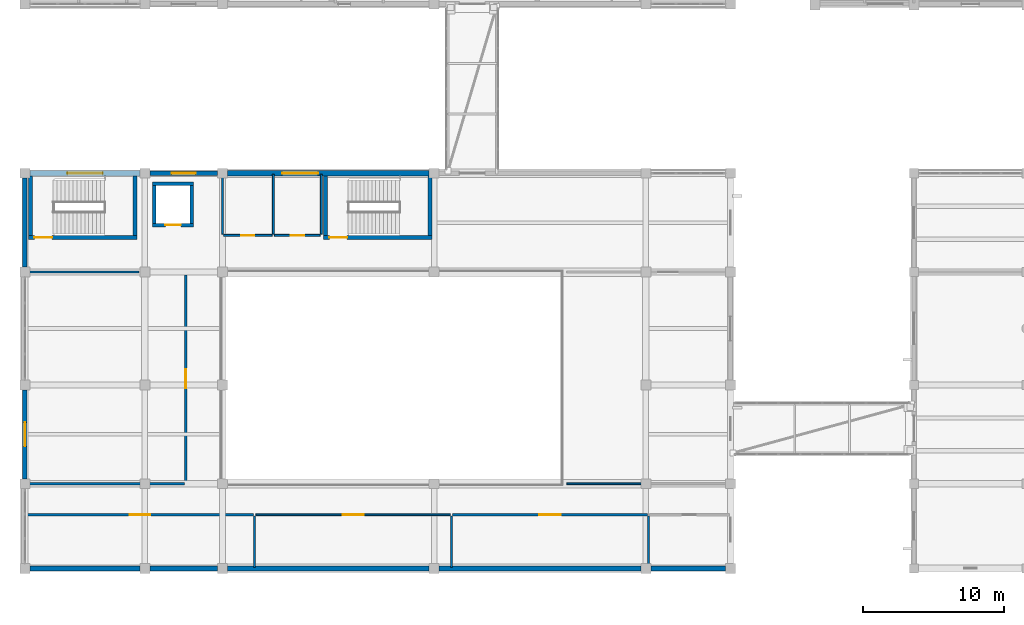
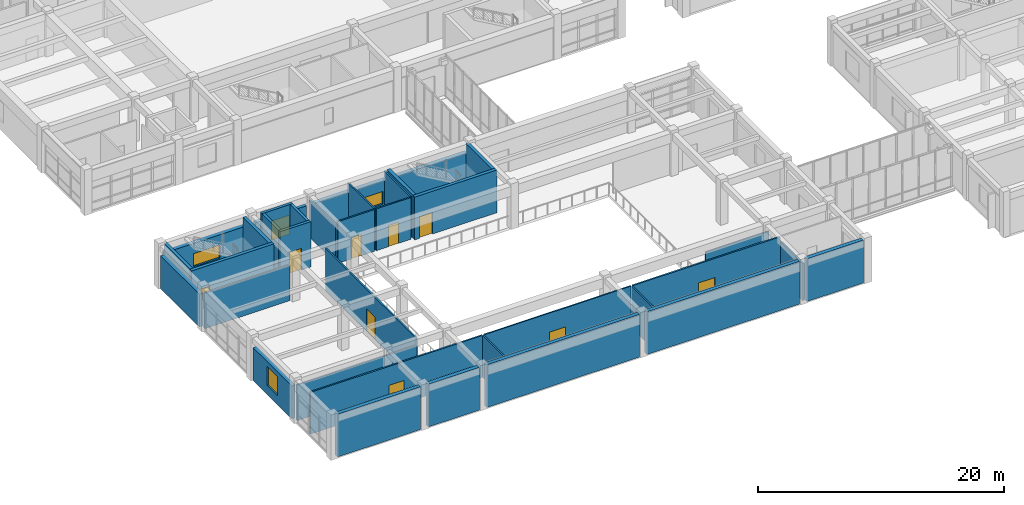
# One storey, part 45 of 70: 35 walls, 9 doors, 4 windows, 13 openings.
"""IFC4 building model written with IfcOpenShell, lengths in metres."""

from ifc_helpers import new_model, si_unit, direction, frame, frame_2d, origin, place, context, subcontext, project, spatial, rectangle, extrude, material, layer, layer_set, type_object, element, fill, save


model = new_model("IFC4")

# Units and contexts
model_context = context("Model", 3, precision=1e-05, world=origin(), true_north=direction((0.0, 1.0)))
body_context = subcontext(model_context, "Body", "Model", "MODEL_VIEW")
ifc_project = project(units=[si_unit("LENGTHUNIT", "METRE"), si_unit("AREAUNIT", "SQUARE_METRE"), si_unit("VOLUMEUNIT", "CUBIC_METRE"), si_unit("PLANEANGLEUNIT", "RADIAN"), si_unit("MASSUNIT", "GRAM", prefix="KILO")], contexts=[model_context])

# Site, building, storey
site_placement = place(None, origin())
site = spatial("IfcSite", under=ifc_project, at=site_placement, CompositionType="ELEMENT")
building_placement = place(site_placement, origin())
building = spatial("IfcBuilding", under=site, at=building_placement, Name="Naurynzar Civic Courthouse", CompositionType="ELEMENT")
storey_placement = place(building_placement, frame((0.0, 0.0, 5.39990234375)))
storey = spatial("IfcBuildingStorey", under=building, at=storey_placement, Name="L02", CompositionType="ELEMENT", Elevation=5.39990234375)

# Wall, opening, door
ifc_material_1 = material(Name="Concrete C40/50", Category="concrete")
ifc_layer_1 = layer(ifc_material_1, 0.300048828125)
ifc_layer_set_1 = layer_set([ifc_layer_1], Name="WL-CORE-300")
wall_type_1 = type_object("IfcWallType", Name="WL-CORE-300", PredefinedType="SHEAR", material=ifc_layer_set_1)
wall_1_placement = place(storey_placement, frame((6.25, 27.449951171875, 0.0), z_axis=(0.0, 0.0, 1.0), x_axis=(1.0, 0.0, 0.0)))
wall_1 = element("IfcWall", 1, at=wall_1_placement, inside=storey, type_object=wall_type_1, Name="Stair ST-V4A enclosure wall south L02", PredefinedType="SHEAR", context=body_context, shape_type="SweptSolid", body=[
    extrude(rectangle(XDim=7.699951171875, YDim=0.300048828125, at=frame_2d((3.85009765625, 0.0))), origin(), (0.0, 0.0, 1.0), 4.239990234375),
])
opening_1_placement = place(wall_1_placement, frame((0.425048828125, 0.0, 0.0)))
opening_1 = element("IfcOpeningElement", 2, at=opening_1_placement, cuts=wall_1, Name="Opening SD-013", PredefinedType="OPENING", context=body_context, shape_type="SweptSolid", body=[
    extrude(rectangle(XDim=1.25, YDim=2.14990234375, at=frame_2d((0.625, 1.074951171875))), frame((0.0, 0.159912109375, 0.0), z_axis=(0.0, -1.0, 0.0), x_axis=(1.0, 0.0, 0.0)), (0.0, 0.0, 1.0), 0.320068359375),
])
ifc_material_2 = material(Name="Powder-Coated Galvanised Steel", Category="steel")
door_type_1 = type_object("IfcDoorType", Name="DR-STAIR-1250x2150", OperationType="NOTDEFINED", PredefinedType="DOOR", material=ifc_material_2)
door_1_placement = place(opening_1_placement, origin())
door_1 = element("IfcDoor", 3, at=door_1_placement, inside=storey, type_object=door_type_1, Name="Stair ST-V4A fire door L02", OperationType="SINGLE_SWING_LEFT", OverallHeight=2.14990234375, OverallWidth=1.25, PredefinedType="DOOR", context=body_context, shape_type="SweptSolid", body=[
    extrude(rectangle(XDim=1.25, YDim=2.14990234375, at=frame_2d((0.625, 1.074951171875))), frame((0.0, 0.02490234375, 0.0), z_axis=(0.0, -1.0, 0.0), x_axis=(1.0, 0.0, 0.0)), (0.0, 0.0, 1.0), 0.050048828125),
])
fill(opening_1, door_1)

# Walls
for number, where, z_axis, x_axis, name in (
    (4, (6.39990234375, 31.804931640625, 0.0), (0.0, 0.0, 1.0), (0.0, -1.0, 0.0), "Stair ST-V4A enclosure wall west L02"),
    (5, (13.800048828125, 27.60498046875, 0.0), (0.0, 0.0, 1.0), (0.0, 1.0, 0.0), "Stair ST-V4A enclosure wall east L02"),
):
    element("IfcWall", number, at=place(storey_placement, frame(where, z_axis=z_axis, x_axis=x_axis)), inside=storey, type_object=wall_type_1, Name=name, PredefinedType="SHEAR", context=body_context, shape_type="SweptSolid", body=[
        extrude(rectangle(XDim=4.199951171875, YDim=0.300048828125, at=frame_2d((2.10009765625, 0.0))), origin(), (0.0, 0.0, 1.0), 4.239990234375),
    ])

# Wall, opening, door
wall_2_placement = place(storey_placement, frame((27.14990234375, 27.449951171875, 0.0), z_axis=(0.0, 0.0, 1.0), x_axis=(1.0, 0.0, 0.0)))
wall_2 = element("IfcWall", 6, at=wall_2_placement, inside=storey, type_object=wall_type_1, Name="Stair ST-V4B enclosure wall south L02", PredefinedType="SHEAR", context=body_context, shape_type="SweptSolid", body=[
    extrude(rectangle(XDim=7.7001953125, YDim=0.300048828125, at=frame_2d((3.85009765625, 0.0))), origin(), (0.0, 0.0, 1.0), 4.239990234375),
])
opening_2_placement = place(wall_2_placement, frame((0.425048828125, 0.0, 0.0)))
opening_2 = element("IfcOpeningElement", 7, at=opening_2_placement, cuts=wall_2, Name="Opening SD-019", PredefinedType="OPENING", context=body_context, shape_type="SweptSolid", body=[
    extrude(rectangle(XDim=1.25, YDim=2.14990234375, at=frame_2d((0.625, 1.074951171875))), frame((0.0, 0.159912109375, 0.0), z_axis=(0.0, -1.0, 0.0), x_axis=(1.0, 0.0, 0.0)), (0.0, 0.0, 1.0), 0.320068359375),
])
door_2_placement = place(opening_2_placement, origin())
door_2 = element("IfcDoor", 8, at=door_2_placement, inside=storey, type_object=door_type_1, Name="Stair ST-V4B fire door L02", OperationType="SINGLE_SWING_LEFT", OverallHeight=2.14990234375, OverallWidth=1.25, PredefinedType="DOOR", context=body_context, shape_type="SweptSolid", body=[
    extrude(rectangle(XDim=1.25, YDim=2.14990234375, at=frame_2d((0.625, 1.074951171875))), frame((0.0, 0.02490234375, 0.0), z_axis=(0.0, -1.0, 0.0), x_axis=(1.0, 0.0, 0.0)), (0.0, 0.0, 1.0), 0.050048828125),
])
fill(opening_2, door_2)

# Walls
for number, where, z_axis, x_axis, name in (
    (9, (27.300048828125, 31.804931640625, 0.0), (0.0, 0.0, 1.0), (0.0, -1.0, 0.0), "Stair ST-V4B enclosure wall west L02"),
    (10, (34.699951171875, 27.60498046875, 0.0), (0.0, 0.0, 1.0), (0.0, 1.0, 0.0), "Stair ST-V4B enclosure wall east L02"),
):
    element("IfcWall", number, at=place(storey_placement, frame(where, z_axis=z_axis, x_axis=x_axis)), inside=storey, type_object=wall_type_1, Name=name, PredefinedType="SHEAR", context=body_context, shape_type="SweptSolid", body=[
        extrude(rectangle(XDim=4.199951171875, YDim=0.300048828125, at=frame_2d((2.10009765625, 0.0))), origin(), (0.0, 0.0, 1.0), 4.239990234375),
    ])

# Wall, opening, window
ifc_material_3 = material(Name="Precast concrete C40/50", Category="concrete")
ifc_layer_2 = layer(ifc_material_3, 0.320068359375)
ifc_layer_set_2 = layer_set([ifc_layer_2], Name="WL-EXT-320")
wall_type_2 = type_object("IfcWallType", Name="WL-EXT-320", PredefinedType="SOLIDWALL", material=ifc_layer_set_2)
wall_3_placement = place(storey_placement, frame((6.0, 10.35009765625, 0.0), z_axis=(0.0, 0.0, 1.0), x_axis=(0.0, 1.0, 0.0)))
wall_3 = element("IfcWall", 11, at=wall_3_placement, inside=storey, type_object=wall_type_2, Name="V4 exterior wall west L02.2.1", PredefinedType="SOLIDWALL", context=body_context, shape_type="SweptSolid", body=[
    extrude(rectangle(XDim=6.2998046875, YDim=0.320068359375, at=frame_2d((3.14990234375, 0.0))), origin(), (0.0, 0.0, 1.0), 3.260009765625),
])
opening_3_placement = place(wall_3_placement, frame((2.300048828125, 0.0, 0.89990234375)))
opening_3 = element("IfcOpeningElement", 12, at=opening_3_placement, cuts=wall_3, Name="Opening WN-14", PredefinedType="OPENING", context=body_context, shape_type="SweptSolid", body=[
    extrude(rectangle(XDim=1.699951171875, YDim=1.89990234375, at=frame_2d((0.85009765625, 0.949951171875))), frame((0.0, 0.169921875, 0.0), z_axis=(0.0, -1.0, 0.0), x_axis=(1.0, 0.0, 0.0)), (0.0, 0.0, 1.0), 0.340087890625),
])
ifc_material_4 = material(Name="Tempered Laminated Low-E Glass", Category="glass")
window_type_1 = type_object("IfcWindowType", Name="WIN-REG-1700x1900", PartitioningType="DOUBLE_PANEL_VERTICAL", PredefinedType="WINDOW", material=ifc_material_4)
window_1_placement = place(opening_3_placement, origin())
window_1 = element("IfcWindow", 13, at=window_1_placement, inside=storey, type_object=window_type_1, Name="V4 window 217 L02", OverallHeight=1.89990234375, OverallWidth=1.699951171875, PartitioningType="SINGLE_PANEL", PredefinedType="WINDOW", context=body_context, shape_type="SweptSolid", body=[
    extrude(rectangle(XDim=1.699951171875, YDim=1.89990234375, at=frame_2d((0.85009765625, 0.949951171875))), frame((0.0, 0.030029296875, 0.0), z_axis=(0.0, -1.0, 0.0), x_axis=(1.0, 0.0, 0.0)), (0.0, 0.0, 1.0), 0.06005859375),
])
fill(opening_3, window_1)

# Wall
wall_4_placement = place(storey_placement, frame((6.0, 25.35009765625, 0.0), z_axis=(0.0, 0.0, 1.0), x_axis=(0.0, 1.0, 0.0)))
element("IfcWall", 14, at=wall_4_placement, inside=storey, type_object=wall_type_2, Name="V4 exterior wall west L02.4.1", PredefinedType="SOLIDWALL", context=body_context, shape_type="SweptSolid", body=[
    extrude(rectangle(XDim=6.2998046875, YDim=0.320068359375, at=frame_2d((3.14990234375, 0.0))), origin(), (0.0, 0.0, 1.0), 3.260009765625),
])

# Wall, opening, window
wall_5_placement = place(storey_placement, frame((14.85009765625, 32.0, 0.0), z_axis=(0.0, 0.0, 1.0), x_axis=(1.0, 0.0, 0.0)))
wall_5 = element("IfcWall", 15, at=wall_5_placement, inside=storey, type_object=wall_type_2, Name="V4 exterior wall north L02.2.1", PredefinedType="SOLIDWALL", context=body_context, shape_type="SweptSolid", body=[
    extrude(rectangle(XDim=4.7998046875, YDim=0.320068359375, at=frame_2d((2.39990234375, 0.0))), origin(), (0.0, 0.0, 1.0), 3.260009765625),
])
opening_4_placement = place(wall_5_placement, frame((1.550048828125, 0.0, 0.89990234375)))
opening_4 = element("IfcOpeningElement", 16, at=opening_4_placement, cuts=wall_5, Name="Opening WN-14", PredefinedType="OPENING", context=body_context, shape_type="SweptSolid", body=[
    extrude(rectangle(XDim=1.699951171875, YDim=1.89990234375, at=frame_2d((0.85009765625, 0.949951171875))), frame((0.0, 0.169921875, 0.0), z_axis=(0.0, -1.0, 0.0), x_axis=(1.0, 0.0, 0.0)), (0.0, 0.0, 1.0), 0.340087890625),
])
window_2_placement = place(opening_4_placement, origin())
window_2 = element("IfcWindow", 17, at=window_2_placement, inside=storey, type_object=window_type_1, Name="V4 window 218 L02", OverallHeight=1.89990234375, OverallWidth=1.699951171875, PartitioningType="SINGLE_PANEL", PredefinedType="WINDOW", context=body_context, shape_type="SweptSolid", body=[
    extrude(rectangle(XDim=1.699951171875, YDim=1.89990234375, at=frame_2d((0.85009765625, 0.949951171875))), frame((0.0, 0.030029296875, 0.0), z_axis=(0.0, -1.0, 0.0), x_axis=(1.0, 0.0, 0.0)), (0.0, 0.0, 1.0), 0.06005859375),
])
fill(opening_4, window_2)

# Wall, opening, door
ifc_material_5 = material(Name="Fire-Rated Corridor Gypsum Partition")
ifc_layer_3 = layer(ifc_material_5, 0.14990234375)
ifc_layer_set_3 = layer_set([ifc_layer_3], Name="WL-PART-CORR-150")
wall_type_3 = type_object("IfcWallType", Name="WL-PART-CORR-150", PredefinedType="PARTITIONING", material=ifc_layer_set_3)
wall_6_placement = place(storey_placement, frame((6.080078125, 7.800048828125, 0.0), z_axis=(0.0, 0.0, 1.0), x_axis=(1.0, 0.0, 0.0)))
wall_6 = element("IfcWall", 18, at=wall_6_placement, inside=storey, type_object=wall_type_3, Name="V4 interior partition L02.181", PredefinedType="PARTITIONING", context=body_context, shape_type="SweptSolid", body=[
    extrude(rectangle(XDim=16.119873046875, YDim=0.14990234375, at=frame_2d((8.06005859375, 0.0))), origin(), (0.0, 0.0, 1.0), 4.14013671875),
])
opening_5_placement = place(wall_6_placement, frame((7.3349609375, 0.0, 0.0)))
opening_5 = element("IfcOpeningElement", 19, at=opening_5_placement, cuts=wall_6, Name="Opening D-067", PredefinedType="OPENING", context=body_context, shape_type="SweptSolid", body=[
    extrude(rectangle(XDim=1.449951171875, YDim=2.25, at=frame_2d((0.72509765625, 1.125))), frame((0.0, 0.0849609375, 0.0), z_axis=(0.0, -1.0, 0.0), x_axis=(1.0, 0.0, 0.0)), (0.0, 0.0, 1.0), 0.169921875),
])
ifc_material_6 = material(Name="Acoustic Oak Timber Grade A", Category="wood")
door_type_2 = type_object("IfcDoorType", Name="DR-SUITE-1450x2250", OperationType="NOTDEFINED", PredefinedType="DOOR", material=ifc_material_6)
door_3_placement = place(opening_5_placement, origin())
door_3 = element("IfcDoor", 20, at=door_3_placement, inside=storey, type_object=door_type_2, Name="Interior door D-067 (Public Legal Aid Clinic)", OperationType="SINGLE_SWING_LEFT", OverallHeight=2.25, OverallWidth=1.449951171875, PredefinedType="DOOR", context=body_context, shape_type="SweptSolid", body=[
    extrude(rectangle(XDim=1.449951171875, YDim=2.25, at=frame_2d((0.72509765625, 1.125))), frame((0.0, 0.02490234375, 0.0), z_axis=(0.0, -1.0, 0.0), x_axis=(1.0, 0.0, 0.0)), (0.0, 0.0, 1.0), 0.050048828125),
])
fill(opening_5, door_3)

wall_7_placement = place(storey_placement, frame((36.31005859375, 7.800048828125, 0.0), z_axis=(0.0, 0.0, 1.0), x_axis=(1.0, 0.0, 0.0)))
wall_7 = element("IfcWall", 21, at=wall_7_placement, inside=storey, type_object=wall_type_3, Name="V4 interior partition L02.183", PredefinedType="PARTITIONING", context=body_context, shape_type="SweptSolid", body=[
    extrude(rectangle(XDim=13.800048828125, YDim=0.14990234375, at=frame_2d((6.89990234375, 0.0))), origin(), (0.0, 0.0, 1.0), 4.14013671875),
])
opening_6_placement = place(wall_7_placement, frame((6.125, 0.0, 0.0)))
opening_6 = element("IfcOpeningElement", 22, at=opening_6_placement, cuts=wall_7, Name="Opening D-069", PredefinedType="OPENING", context=body_context, shape_type="SweptSolid", body=[
    extrude(rectangle(XDim=1.550048828125, YDim=2.25, at=frame_2d((0.77490234375, 1.125))), frame((0.0, 0.0849609375, 0.0), z_axis=(0.0, -1.0, 0.0), x_axis=(1.0, 0.0, 0.0)), (0.0, 0.0, 1.0), 0.169921875),
])
ifc_material_7 = material(Name="Acoustic Oak Timber Grade A", Category="wood")
door_type_3 = type_object("IfcDoorType", Name="DR-SUITE-1550x2250", OperationType="DOUBLE_DOOR_SINGLE_SWING", PredefinedType="DOOR", material=ifc_material_7)
door_4_placement = place(opening_6_placement, origin())
door_4 = element("IfcDoor", 23, at=door_4_placement, inside=storey, type_object=door_type_3, Name="Interior door D-069 (Civil Mediation Suite 2)", OperationType="DOUBLE_DOOR_SINGLE_SWING", OverallHeight=2.25, OverallWidth=1.550048828125, PredefinedType="DOOR", context=body_context, shape_type="SweptSolid", body=[
    extrude(rectangle(XDim=1.550048828125, YDim=2.25, at=frame_2d((0.77490234375, 1.125))), frame((0.0, 0.02490234375, 0.0), z_axis=(0.0, -1.0, 0.0), x_axis=(1.0, 0.0, 0.0)), (0.0, 0.0, 1.0), 0.050048828125),
])
fill(opening_6, door_4)

# Walls
wall_8_placement = place(storey_placement, frame((6.080078125, 10.0, 0.0), z_axis=(0.0, 0.0, 1.0), x_axis=(1.0, 0.0, 0.0)))
element("IfcWall", 24, at=wall_8_placement, inside=storey, type_object=wall_type_3, Name="V4 interior partition L02.188", PredefinedType="PARTITIONING", context=body_context, shape_type="SweptSolid", body=[
    extrude(rectangle(XDim=11.239990234375, YDim=0.14990234375, at=frame_2d((5.6201171875, 0.0))), origin(), (0.0, 0.0, 1.0), 3.530029296875),
])
wall_9_placement = place(storey_placement, frame((6.080078125, 25.0, 0.0), z_axis=(0.0, 0.0, 1.0), x_axis=(1.0, 0.0, 0.0)))
element("IfcWall", 25, at=wall_9_placement, inside=storey, type_object=wall_type_3, Name="V4 interior partition L02.199", PredefinedType="PARTITIONING", context=body_context, shape_type="SweptSolid", body=[
    extrude(rectangle(XDim=8.02001953125, YDim=0.14990234375, at=frame_2d((4.010009765625, 0.0))), origin(), (0.0, 0.0, 1.0), 3.530029296875),
])

# Wall, opening, door
wall_10_placement = place(storey_placement, frame((17.39990234375, 10.080078125, 0.0), z_axis=(0.0, 0.0, 1.0), x_axis=(0.0, 1.0, 0.0)))
wall_10 = element("IfcWall", 26, at=wall_10_placement, inside=storey, type_object=wall_type_3, Name="V4 interior partition L02.256", PredefinedType="PARTITIONING", context=body_context, shape_type="SweptSolid", body=[
    extrude(rectangle(XDim=14.719970703125, YDim=0.14990234375, at=frame_2d((7.35986328125, 0.0))), origin(), (0.0, 0.0, 1.0), 4.14013671875),
])
opening_7_placement = place(wall_10_placement, frame((6.679931640625, 0.0, 0.0)))
opening_7 = element("IfcOpeningElement", 27, at=opening_7_placement, cuts=wall_10, Name="Opening D-065", PredefinedType="OPENING", context=body_context, shape_type="SweptSolid", body=[
    extrude(rectangle(XDim=1.360107421875, YDim=2.199951171875, at=frame_2d((0.68017578125, 1.10009765625))), frame((0.0, 0.0849609375, 0.0), z_axis=(0.0, -1.0, 0.0), x_axis=(1.0, 0.0, 0.0)), (0.0, 0.0, 1.0), 0.169921875),
])
ifc_material_8 = material(Name="Acoustic Oak Timber Grade A", Category="wood")
door_type_4 = type_object("IfcDoorType", Name="DR-SUITE-1360x2200", OperationType="NOTDEFINED", PredefinedType="DOOR", material=ifc_material_8)
door_5_placement = place(opening_7_placement, origin())
door_5 = element("IfcDoor", 28, at=door_5_placement, inside=storey, type_object=door_type_4, Name="Interior door D-065 (Public Hall West Gallery)", OperationType="SINGLE_SWING_LEFT", OverallHeight=2.199951171875, OverallWidth=1.360107421875, PredefinedType="DOOR", context=body_context, shape_type="SweptSolid", body=[
    extrude(rectangle(XDim=1.360107421875, YDim=2.199951171875, at=frame_2d((0.68017578125, 1.10009765625))), frame((0.0, 0.02490234375, 0.0), z_axis=(0.0, -1.0, 0.0), x_axis=(1.0, 0.0, 0.0)), (0.0, 0.0, 1.0), 0.050048828125),
])
fill(opening_7, door_5)

# Walls
for number, where, z_axis, x_axis, name in (
    (29, (22.280029296875, 4.080078125, 0.0), (0.0, 0.0, 1.0), (0.0, 1.0, 0.0), "V4 interior partition L02.260"),
    (30, (36.22998046875, 4.080078125, 0.0), (0.0, 0.0, 1.0), (0.0, 1.0, 0.0), "V4 interior partition L02.267"),
):
    element("IfcWall", number, at=place(storey_placement, frame(where, z_axis=z_axis, x_axis=x_axis)), inside=storey, type_object=wall_type_3, Name=name, PredefinedType="PARTITIONING", context=body_context, shape_type="SweptSolid", body=[
        extrude(rectangle(XDim=3.639892578125, YDim=0.14990234375, at=frame_2d((1.81982421875, 0.0))), origin(), (0.0, 0.0, 1.0), 4.14013671875),
    ])
wall_11_placement = place(storey_placement, frame((50.18994140625, 4.080078125, 0.0), z_axis=(0.0, 0.0, 1.0), x_axis=(0.0, 1.0, 0.0)))
element("IfcWall", 31, at=wall_11_placement, inside=storey, type_object=wall_type_3, Name="V4 interior partition L02.270", PredefinedType="PARTITIONING", context=body_context, shape_type="SweptSolid", body=[
    extrude(rectangle(XDim=3.639892578125, YDim=0.14990234375, at=frame_2d((1.81982421875, 0.0))), origin(), (0.0, 0.0, 1.0), 3.68017578125),
])

# Wall, opening, door
ifc_material_9 = material(Name="Metal-Stud Gypsum Partition")
ifc_layer_4 = layer(ifc_material_9, 0.125)
ifc_layer_set_4 = layer_set([ifc_layer_4], Name="WL-PART-STD-125")
wall_type_4 = type_object("IfcWallType", Name="WL-PART-STD-125", PredefinedType="PARTITIONING", material=ifc_layer_set_4)
wall_12_placement = place(storey_placement, frame((22.360107421875, 7.800048828125, 0.0), z_axis=(0.0, 0.0, 1.0), x_axis=(1.0, 0.0, 0.0)))
wall_12 = element("IfcWall", 32, at=wall_12_placement, inside=storey, type_object=wall_type_4, Name="V4 interior partition L02.182", PredefinedType="PARTITIONING", context=body_context, shape_type="SweptSolid", body=[
    extrude(rectangle(XDim=13.789794921875, YDim=0.125, at=frame_2d((6.89501953125, 0.0))), origin(), (0.0, 0.0, 1.0), 4.14013671875),
])
opening_8_placement = place(wall_12_placement, frame((6.14501953125, 0.0, 0.0)))
opening_8 = element("IfcOpeningElement", 33, at=opening_8_placement, cuts=wall_12, Name="Opening D-068", PredefinedType="OPENING", context=body_context, shape_type="SweptSolid", body=[
    extrude(rectangle(XDim=1.5, YDim=2.25, at=frame_2d((0.75, 1.125))), frame((0.0, 0.072509765625, 0.0), z_axis=(0.0, -1.0, 0.0), x_axis=(1.0, 0.0, 0.0)), (0.0, 0.0, 1.0), 0.14501953125),
])
ifc_material_10 = material(Name="Acoustic Oak Timber Grade A", Category="wood")
door_type_5 = type_object("IfcDoorType", Name="DR-SUITE-1500x2250", OperationType="NOTDEFINED", PredefinedType="DOOR", material=ifc_material_10)
door_6_placement = place(opening_8_placement, origin())
door_6 = element("IfcDoor", 34, at=door_6_placement, inside=storey, type_object=door_type_5, Name="Interior door D-068 (Civil Mediation Suite 1)", OperationType="SINGLE_SWING_RIGHT", OverallHeight=2.25, OverallWidth=1.5, PredefinedType="DOOR", context=body_context, shape_type="SweptSolid", body=[
    extrude(rectangle(XDim=1.5, YDim=2.25, at=frame_2d((0.75, 1.125))), frame((0.0, 0.02490234375, 0.0), z_axis=(0.0, -1.0, 0.0), x_axis=(1.0, 0.0, 0.0)), (0.0, 0.0, 1.0), 0.050048828125),
])
fill(opening_8, door_6)

# Wall
wall_13_placement = place(storey_placement, frame((44.39990234375, 10.0, 0.0), z_axis=(0.0, 0.0, 1.0), x_axis=(1.0, 0.0, 0.0)))
element("IfcWall", 35, at=wall_13_placement, inside=storey, type_object=wall_type_4, Name="V4 interior partition L02.189a", PredefinedType="PARTITIONING", context=body_context, shape_type="SweptSolid", body=[
    extrude(rectangle(XDim=5.9501953125, YDim=0.125, at=frame_2d((2.97509765625, 0.0))), origin(), (0.0, 0.0, 1.0), 3.280029296875),
])

# Wall, opening, door
ifc_material_11 = material(Name="Moisture-Resistant Plumbing Partition")
ifc_layer_5 = layer(ifc_material_11, 0.139892578125)
ifc_layer_set_5 = layer_set([ifc_layer_5], Name="WL-PART-WC-140")
wall_type_5 = type_object("IfcWallType", Name="WL-PART-WC-140", PredefinedType="PLUMBINGWALL", material=ifc_layer_set_5)
wall_14_placement = place(storey_placement, frame((20.080078125, 27.60009765625, 0.0), z_axis=(0.0, 0.0, 1.0), x_axis=(1.0, 0.0, 0.0)))
wall_14 = element("IfcWall", 36, at=wall_14_placement, inside=storey, type_object=wall_type_5, Name="V4 interior partition L02.205", PredefinedType="PLUMBINGWALL", context=body_context, shape_type="SweptSolid", body=[
    extrude(rectangle(XDim=3.43994140625, YDim=0.139892578125, at=frame_2d((1.719970703125, 0.0))), origin(), (0.0, 0.0, 1.0), 4.14013671875),
])
opening_9_placement = place(wall_14_placement, frame((1.260009765625, 0.0, 0.0)))
opening_9 = element("IfcOpeningElement", 37, at=opening_9_placement, cuts=wall_14, Name="Opening D-063", PredefinedType="OPENING", context=body_context, shape_type="SweptSolid", body=[
    extrude(rectangle(XDim=0.919921875, YDim=2.10009765625, at=frame_2d((0.4599609375, 1.050048828125))), frame((0.0, 0.079833984375, 0.0), z_axis=(0.0, -1.0, 0.0), x_axis=(1.0, 0.0, 0.0)), (0.0, 0.0, 1.0), 0.159912109375),
])
ifc_material_12 = material(Name="Acoustic Oak Timber Grade A", Category="wood")
door_type_6 = type_object("IfcDoorType", Name="DR-WC-STD-920x2100", OperationType="NOTDEFINED", PredefinedType="DOOR", material=ifc_material_12)
door_7_placement = place(opening_9_placement, origin())
door_7 = element("IfcDoor", 38, at=door_7_placement, inside=storey, type_object=door_type_6, Name="Interior door D-063 (Public WC V4)", OperationType="SINGLE_SWING_LEFT", OverallHeight=2.10009765625, OverallWidth=0.919921875, PredefinedType="DOOR", context=body_context, shape_type="SweptSolid", body=[
    extrude(rectangle(XDim=0.919921875, YDim=2.10009765625, at=frame_2d((0.4599609375, 1.050048828125))), frame((0.0, 0.02490234375, 0.0), z_axis=(0.0, -1.0, 0.0), x_axis=(1.0, 0.0, 0.0)), (0.0, 0.0, 1.0), 0.050048828125),
])
fill(opening_9, door_7)

wall_15_placement = place(storey_placement, frame((23.679931640625, 27.60009765625, 0.0), z_axis=(0.0, 0.0, 1.0), x_axis=(1.0, 0.0, 0.0)))
wall_15 = element("IfcWall", 39, at=wall_15_placement, inside=storey, type_object=wall_type_5, Name="V4 interior partition L02.206", PredefinedType="PLUMBINGWALL", context=body_context, shape_type="SweptSolid", body=[
    extrude(rectangle(XDim=3.239990234375, YDim=0.139892578125, at=frame_2d((1.6201171875, 0.0))), origin(), (0.0, 0.0, 1.0), 4.14013671875),
])
opening_10_placement = place(wall_15_placement, frame((1.139892578125, 0.0, 0.0)))
opening_10 = element("IfcOpeningElement", 40, at=opening_10_placement, cuts=wall_15, Name="Opening D-064", PredefinedType="OPENING", context=body_context, shape_type="SweptSolid", body=[
    extrude(rectangle(XDim=0.9599609375, YDim=2.10009765625, at=frame_2d((0.47998046875, 1.050048828125))), frame((0.0, 0.079833984375, 0.0), z_axis=(0.0, -1.0, 0.0), x_axis=(1.0, 0.0, 0.0)), (0.0, 0.0, 1.0), 0.159912109375),
])
ifc_material_13 = material(Name="Acoustic Oak Timber Grade A", Category="wood")
door_type_7 = type_object("IfcDoorType", Name="DR-WC-ACC-960x2100", OperationType="NOTDEFINED", PredefinedType="DOOR", material=ifc_material_13)
door_8_placement = place(opening_10_placement, origin())
door_8 = element("IfcDoor", 41, at=door_8_placement, inside=storey, type_object=door_type_7, Name="Interior door D-064 (Accessible WC V4)", OperationType="SINGLE_SWING_RIGHT", OverallHeight=2.10009765625, OverallWidth=0.9599609375, PredefinedType="DOOR", context=body_context, shape_type="SweptSolid", body=[
    extrude(rectangle(XDim=0.9599609375, YDim=2.10009765625, at=frame_2d((0.47998046875, 1.050048828125))), frame((0.0, 0.02490234375, 0.0), z_axis=(0.0, -1.0, 0.0), x_axis=(1.0, 0.0, 0.0)), (0.0, 0.0, 1.0), 0.050048828125),
])
fill(opening_10, door_8)

# Walls
wall_16_placement = place(storey_placement, frame((20.0, 27.679931640625, 0.0), z_axis=(0.0, 0.0, 1.0), x_axis=(0.0, 1.0, 0.0)))
element("IfcWall", 42, at=wall_16_placement, inside=storey, type_object=wall_type_5, Name="V4 interior partition L02.257", PredefinedType="PLUMBINGWALL", context=body_context, shape_type="SweptSolid", body=[
    extrude(rectangle(XDim=4.239990234375, YDim=0.139892578125, at=frame_2d((2.1201171875, 0.0))), origin(), (0.0, 0.0, 1.0), 3.68017578125),
])
for number, where, z_axis, x_axis, name in (
    (43, (23.60009765625, 27.679931640625, 0.0), (0.0, 0.0, 1.0), (0.0, 1.0, 0.0), "V4 interior partition L02.261"),
    (44, (27.0, 27.679931640625, 0.0), (0.0, 0.0, 1.0), (0.0, 1.0, 0.0), "V4 interior partition L02.262"),
):
    element("IfcWall", number, at=place(storey_placement, frame(where, z_axis=z_axis, x_axis=x_axis)), inside=storey, type_object=wall_type_5, Name=name, PredefinedType="PLUMBINGWALL", context=body_context, shape_type="SweptSolid", body=[
        extrude(rectangle(XDim=4.239990234375, YDim=0.139892578125, at=frame_2d((2.1201171875, 0.0))), origin(), (0.0, 0.0, 1.0), 4.14013671875),
    ])
ifc_material_14 = material(Name="Concrete C40/50", Category="concrete")
ifc_layer_6 = layer(ifc_material_14, 0.360107421875)
ifc_layer_set_6 = layer_set([ifc_layer_6], Name="WL-PARTY-360")
wall_type_6 = type_object("IfcWallType", Name="WL-PARTY-360", PredefinedType="SOLIDWALL", material=ifc_layer_set_6)
wall_17_placement = place(storey_placement, frame((55.64990234375, 4.0, 0.0), z_axis=(0.0, 0.0, 1.0), x_axis=(-1.0, 0.0, 0.0)))
element("IfcWall", 45, at=wall_17_placement, inside=storey, type_object=wall_type_6, Name="V4 solid seismic party wall L02 1", PredefinedType="SOLIDWALL", context=body_context, shape_type="SweptSolid", body=[
    extrude(rectangle(XDim=5.2998046875, YDim=0.360107421875, at=frame_2d((2.64990234375, 0.0))), origin(), (0.0, 0.0, 1.0), 4.239990234375),
])
for number, where, z_axis, x_axis, name in (
    (46, (49.64990234375, 4.0, 0.0), (0.0, 0.0, 1.0), (-1.0, 0.0, 0.0), "V4 solid seismic party wall L02 2"),
    (47, (34.64990234375, 4.0, 0.0), (0.0, 0.0, 1.0), (-1.0, 0.0, 0.0), "V4 solid seismic party wall L02 3"),
):
    element("IfcWall", number, at=place(storey_placement, frame(where, z_axis=z_axis, x_axis=x_axis)), inside=storey, type_object=wall_type_6, Name=name, PredefinedType="SOLIDWALL", context=body_context, shape_type="SweptSolid", body=[
        extrude(rectangle(XDim=14.2998046875, YDim=0.360107421875, at=frame_2d((7.14990234375, 0.0))), origin(), (0.0, 0.0, 1.0), 4.239990234375),
    ])
wall_18_placement = place(storey_placement, frame((19.64990234375, 4.0, 0.0), z_axis=(0.0, 0.0, 1.0), x_axis=(-1.0, 0.0, 0.0)))
element("IfcWall", 48, at=wall_18_placement, inside=storey, type_object=wall_type_6, Name="V4 solid seismic party wall L02 4", PredefinedType="SOLIDWALL", context=body_context, shape_type="SweptSolid", body=[
    extrude(rectangle(XDim=4.7998046875, YDim=0.360107421875, at=frame_2d((2.39990234375, 0.0))), origin(), (0.0, 0.0, 1.0), 4.239990234375),
])
wall_19_placement = place(storey_placement, frame((14.14990234375, 4.0, 0.0), z_axis=(0.0, 0.0, 1.0), x_axis=(-1.0, 0.0, 0.0)))
element("IfcWall", 49, at=wall_19_placement, inside=storey, type_object=wall_type_6, Name="V4 solid seismic party wall L02 5", PredefinedType="SOLIDWALL", context=body_context, shape_type="SweptSolid", body=[
    extrude(rectangle(XDim=7.7998046875, YDim=0.360107421875, at=frame_2d((3.89990234375, 0.0))), origin(), (0.0, 0.0, 1.0), 4.239990234375),
])

# Wall, opening, window
ifc_material_15 = material(Name="Concrete C40/50", Category="concrete")
ifc_layer_7 = layer(ifc_material_15, 0.3798828125)
ifc_layer_set_7 = layer_set([ifc_layer_7], Name="WL-RET-380")
wall_type_7 = type_object("IfcWallType", Name="WL-RET-380", PredefinedType="STANDARD", material=ifc_layer_set_7)
wall_20_placement = place(storey_placement, frame((6.35009765625, 32.0, 0.0), z_axis=(0.0, 0.0, 1.0), x_axis=(1.0, 0.0, 0.0)))
wall_20 = element("IfcWall", 50, at=wall_20_placement, inside=storey, type_object=wall_type_7, Name="V4 exterior wall north L02.1.1", PredefinedType="STANDARD", context=body_context, shape_type="SweptSolid", body=[
    extrude(rectangle(XDim=7.7998046875, YDim=0.3798828125, at=frame_2d((3.89990234375, 0.0))), origin(), (0.0, 0.0, 1.0), 3.260009765625),
])
opening_11_placement = place(wall_20_placement, frame((2.64990234375, 0.0, 0.949951171875)))
opening_11 = element("IfcOpeningElement", 51, at=opening_11_placement, cuts=wall_20, Name="Opening WM-21", PredefinedType="OPENING", context=body_context, shape_type="SweptSolid", body=[
    extrude(rectangle(XDim=2.5, YDim=1.300048828125, at=frame_2d((1.25, 0.64990234375))), frame((0.0, 0.199951171875, 0.0), z_axis=(0.0, -1.0, 0.0), x_axis=(1.0, 0.0, 0.0)), (0.0, 0.0, 1.0), 0.39990234375),
])
ifc_material_16 = material(Name="Tempered Laminated Low-E Glass", Category="glass")
window_type_2 = type_object("IfcWindowType", Name="WIN-MOD-2500x1300", PartitioningType="DOUBLE_PANEL_VERTICAL", PredefinedType="WINDOW", material=ifc_material_16)
window_3_placement = place(opening_11_placement, origin())
window_3 = element("IfcWindow", 52, at=window_3_placement, inside=storey, type_object=window_type_2, Name="Modular glazed window 21", OverallHeight=1.300048828125, OverallWidth=2.5, PartitioningType="SINGLE_PANEL", PredefinedType="WINDOW", context=body_context, shape_type="SweptSolid", body=[
    extrude(rectangle(XDim=2.5, YDim=1.300048828125, at=frame_2d((1.25, 0.64990234375))), frame((0.0, 0.030029296875, 0.0), z_axis=(0.0, -1.0, 0.0), x_axis=(1.0, 0.0, 0.0)), (0.0, 0.0, 1.0), 0.06005859375),
])
fill(opening_11, window_3)

wall_21_placement = place(storey_placement, frame((20.35009765625, 32.0, 0.0), z_axis=(0.0, 0.0, 1.0), x_axis=(1.0, 0.0, 0.0)))
wall_21 = element("IfcWall", 53, at=wall_21_placement, inside=storey, type_object=wall_type_7, Name="V4 exterior wall north L02.3.1", PredefinedType="STANDARD", context=body_context, shape_type="SweptSolid", body=[
    extrude(rectangle(XDim=14.2998046875, YDim=0.3798828125, at=frame_2d((7.14990234375, 0.0))), origin(), (0.0, 0.0, 1.0), 3.260009765625),
])
opening_12_placement = place(wall_21_placement, frame((3.8798828125, 0.0, 0.949951171875)))
opening_12 = element("IfcOpeningElement", 54, at=opening_12_placement, cuts=wall_21, Name="Opening WM-22", PredefinedType="OPENING", context=body_context, shape_type="SweptSolid", body=[
    extrude(rectangle(XDim=2.550048828125, YDim=1.25, at=frame_2d((1.27490234375, 0.625))), frame((0.0, 0.199951171875, 0.0), z_axis=(0.0, -1.0, 0.0), x_axis=(1.0, 0.0, 0.0)), (0.0, 0.0, 1.0), 0.39990234375),
])
ifc_material_17 = material(Name="Tempered Laminated Low-E Glass", Category="glass")
window_type_3 = type_object("IfcWindowType", Name="WIN-MOD-2550x1250", PartitioningType="DOUBLE_PANEL_VERTICAL", PredefinedType="WINDOW", material=ifc_material_17)
window_4_placement = place(opening_12_placement, origin())
window_4 = element("IfcWindow", 55, at=window_4_placement, inside=storey, type_object=window_type_3, Name="Modular glazed window 22", OverallHeight=1.25, OverallWidth=2.550048828125, PartitioningType="SINGLE_PANEL", PredefinedType="WINDOW", context=body_context, shape_type="SweptSolid", body=[
    extrude(rectangle(XDim=2.550048828125, YDim=1.25, at=frame_2d((1.27490234375, 0.625))), frame((0.0, 0.030029296875, 0.0), z_axis=(0.0, -1.0, 0.0), x_axis=(1.0, 0.0, 0.0)), (0.0, 0.0, 1.0), 0.06005859375),
])
fill(opening_12, window_4)

# Wall, opening, door
ifc_material_18 = material(Name="Concrete C40/50", Category="concrete")
ifc_layer_8 = layer(ifc_material_18, 0.25)
ifc_layer_set_8 = layer_set([ifc_layer_8], Name="WL-SHAFT-250")
wall_type_8 = type_object("IfcWallType", Name="WL-SHAFT-250", PredefinedType="SHEAR", material=ifc_layer_set_8)
wall_22_placement = place(storey_placement, frame((15.050048828125, 28.324951171875, 0.0), z_axis=(0.0, 0.0, 1.0), x_axis=(1.0, 0.0, 0.0)))
wall_22 = element("IfcWall", 56, at=wall_22_placement, inside=storey, type_object=wall_type_8, Name="Lift LP-02 shaft wall south L02", PredefinedType="SHEAR", context=body_context, shape_type="SweptSolid", body=[
    extrude(rectangle(XDim=2.89990234375, YDim=0.25, at=frame_2d((1.449951171875, 0.0))), origin(), (0.0, 0.0, 1.0), 4.5),
])
opening_13_placement = place(wall_22_placement, frame((0.89990234375, 0.0, 0.0)))
opening_13 = element("IfcOpeningElement", 57, at=opening_13_placement, cuts=wall_22, Name="Opening LD-013", PredefinedType="OPENING", context=body_context, shape_type="SweptSolid", body=[
    extrude(rectangle(XDim=1.10009765625, YDim=2.14990234375, at=frame_2d((0.550048828125, 1.074951171875))), frame((0.0, 0.135009765625, 0.0), z_axis=(0.0, -1.0, 0.0), x_axis=(1.0, 0.0, 0.0)), (0.0, 0.0, 1.0), 0.27001953125),
])
ifc_material_19 = material(Name="Brushed Stainless Steel 304", Category="steel")
door_type_8 = type_object("IfcDoorType", Name="DR-LIFT-SLIDE-1100x2150", OperationType="DOUBLE_DOOR_SLIDING", PredefinedType="DOOR", material=ifc_material_19)
door_9_placement = place(opening_13_placement, origin())
door_9 = element("IfcDoor", 58, at=door_9_placement, inside=storey, type_object=door_type_8, Name="Lift LP-02 sliding landing door L02", OperationType="DOUBLE_DOOR_SLIDING", OverallHeight=2.14990234375, OverallWidth=1.10009765625, PredefinedType="DOOR", context=body_context, shape_type="SweptSolid", body=[
    extrude(rectangle(XDim=1.10009765625, YDim=2.14990234375, at=frame_2d((0.550048828125, 1.074951171875))), frame((0.0, 0.02490234375, 0.0), z_axis=(0.0, -1.0, 0.0), x_axis=(1.0, 0.0, 0.0)), (0.0, 0.0, 1.0), 0.050048828125),
])
fill(opening_13, door_9)

# Walls
wall_23_placement = place(storey_placement, frame((17.949951171875, 31.27490234375, 0.0), z_axis=(0.0, 0.0, 1.0), x_axis=(-1.0, 0.0, 0.0)))
element("IfcWall", 59, at=wall_23_placement, inside=storey, type_object=wall_type_8, Name="Lift LP-02 shaft wall north L02", PredefinedType="SHEAR", context=body_context, shape_type="SweptSolid", body=[
    extrude(rectangle(XDim=2.89990234375, YDim=0.25, at=frame_2d((1.449951171875, 0.0))), origin(), (0.0, 0.0, 1.0), 4.5),
])
for number, where, z_axis, x_axis, name in (
    (60, (15.175048828125, 31.14501953125, 0.0), (0.0, 0.0, 1.0), (0.0, -1.0, 0.0), "Lift LP-02 shaft wall west L02"),
    (61, (17.824951171875, 28.455078125, 0.0), (0.0, 0.0, 1.0), (0.0, 1.0, 0.0), "Lift LP-02 shaft wall east L02"),
):
    element("IfcWall", number, at=place(storey_placement, frame(where, z_axis=z_axis, x_axis=x_axis)), inside=storey, type_object=wall_type_8, Name=name, PredefinedType="SHEAR", context=body_context, shape_type="SweptSolid", body=[
        extrude(rectangle(XDim=2.68994140625, YDim=0.25, at=frame_2d((1.344970703125, 0.0))), origin(), (0.0, 0.0, 1.0), 4.5),
    ])

save(model, "model.ifc")
